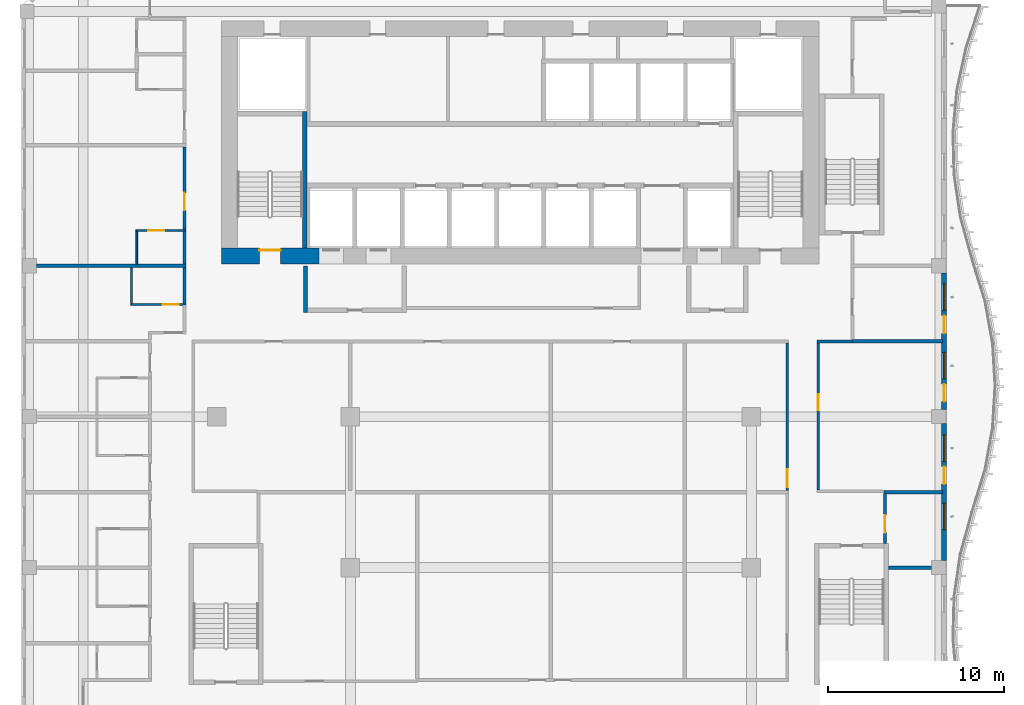
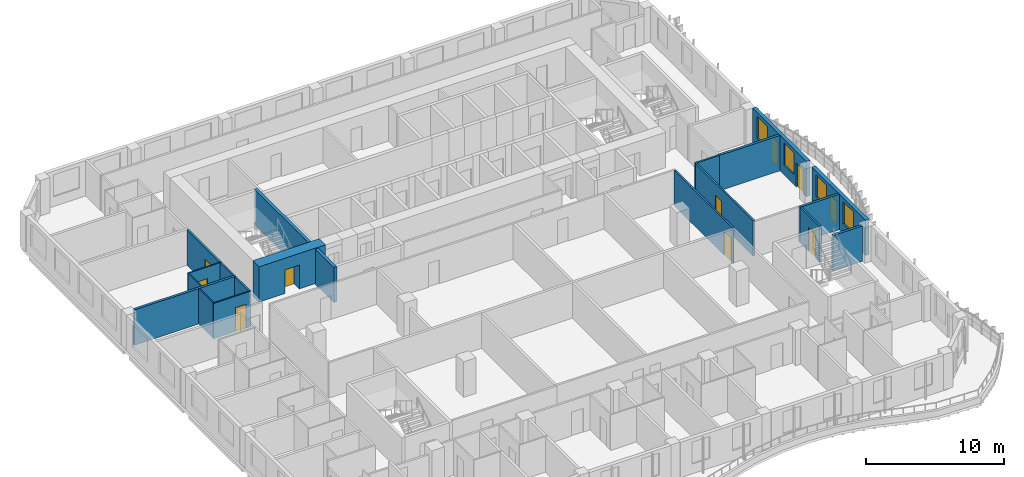
# One storey, part 6 of 23: 20 walls, 10 doors, 4 windows, 14 openings.
"""IFC4 building model written with IfcOpenShell, lengths in metres."""

import ifcopenshell
import ifcopenshell.guid

model = None  # the IFC model being written
_history = None  # IfcOwnerHistory: only IFC2X3 demands one
_inside = {}  # id of a spatial element -> (the spatial element, [elements in it])
_under = {}  # id of a project, library or spatial element -> (it, [spatial elements below it])
_declared = {}  # id of a project -> (the project, [libraries it declares])
_typed = {}  # id of a type object -> (the type object, [elements of that type])
_made_of = {}  # id of a material, layer set ... -> (it, [elements and type objects made of it])


def new_model(schema):
    """Start an empty IFC model of exactly this schema.

    Asked for "IFC4X3", IfcOpenShell would pick the latest addendum, in which some entities
    have other attributes; the version numbers below select the first issue.
    IFC2X3 requires an IfcOwnerHistory on every rooted entity: one is made here for all.
    """
    global model, _history
    if schema == "IFC4X3":
        model = ifcopenshell.file(schema_version=(4, 3, 0, 0))
    else:
        model = ifcopenshell.file(schema=schema)
    _inside.clear()
    _under.clear()
    _declared.clear()
    _typed.clear()
    _made_of.clear()
    _history = None
    if model.schema == "IFC2X3":
        org = make("IfcOrganization", Name="unknown")
        user = make(
            "IfcPersonAndOrganization",
            ThePerson=make("IfcPerson", FamilyName="unknown"),
            TheOrganization=org,
        )
        app = make(
            "IfcApplication",
            ApplicationDeveloper=org,
            Version="unknown",
            ApplicationFullName="unknown",
            ApplicationIdentifier="unknown",
        )
        _history = make(
            "IfcOwnerHistory",
            OwningUser=user,
            OwningApplication=app,
            ChangeAction="ADDED",
            CreationDate=0,
        )
    return model


def make(cls, **values):
    """One entity of the class cls with the attributes given. An attribute that is None is left unset."""
    return model.create_entity(
        cls, **{name: value for name, value in values.items() if value is not None}
    )


def rooted(cls, **values):
    """An entity with a GlobalId (a new one), such as an element, a storey or a relation."""
    return make(cls, GlobalId=ifcopenshell.guid.new(), OwnerHistory=_history, **values)


def si_unit(unit_type, name, prefix=None):
    """IfcSIUnit, for example si_unit("LENGTHUNIT", "METRE", prefix="MILLI")."""
    return make("IfcSIUnit", UnitType=unit_type, Prefix=prefix, Name=name)


def assignment(units):
    """IfcUnitAssignment: the units of a project."""
    return None if units is None else make("IfcUnitAssignment", Units=units)


def point(xyz):
    """IfcCartesianPoint."""
    return None if xyz is None else make("IfcCartesianPoint", Coordinates=xyz)


def direction(xyz):
    """IfcDirection."""
    return None if xyz is None else make("IfcDirection", DirectionRatios=xyz)


def frame(location, z_axis=None, x_axis=None):
    """IfcAxis2Placement3D, a coordinate frame: its origin and axes. An axis left out is left unset."""
    return make(
        "IfcAxis2Placement3D",
        Location=point(location),
        Axis=direction(z_axis),
        RefDirection=direction(x_axis),
    )


def frame_2d(location, x_axis=None):
    """IfcAxis2Placement2D, a coordinate frame in the plane: its origin and x axis."""
    return make(
        "IfcAxis2Placement2D", Location=point(location), RefDirection=direction(x_axis)
    )


def origin():
    """The frame at (0, 0, 0) with its axes left unset."""
    return frame((0.0, 0.0, 0.0))


def place(relative_to, where):
    """IfcLocalPlacement: puts the frame where relative to a parent placement (None: the world)."""
    return make(
        "IfcLocalPlacement", PlacementRelTo=relative_to, RelativePlacement=where
    )


def context(
    kind, dimensions, precision=None, world=None, true_north=None, identifier=None
):
    """IfcGeometricRepresentationContext, for example the 3D "Model" context."""
    return make(
        "IfcGeometricRepresentationContext",
        ContextIdentifier=identifier,
        ContextType=kind,
        CoordinateSpaceDimension=dimensions,
        Precision=precision,
        WorldCoordinateSystem=world,
        TrueNorth=true_north,
    )


def subcontext(parent, identifier, kind, view, scale=None):
    """IfcGeometricRepresentationSubContext, for example "Body" below "Model"."""
    return make(
        "IfcGeometricRepresentationSubContext",
        ContextIdentifier=identifier,
        ContextType=kind,
        ParentContext=parent,
        TargetScale=scale,
        TargetView=view,
    )


def project(units=None, contexts=None):
    """IfcProject with its units and contexts."""
    return rooted(
        "IfcProject",
        Name="project",
        RepresentationContexts=contexts,
        UnitsInContext=assignment(units),
    )


def spatial(cls, under=None, at=None, **own):
    """A site, building, storey or space (cls), placed at a placement, below another one or the project."""
    s = rooted(cls, ObjectPlacement=at, **own)
    if under is not None:
        _under.setdefault(under.id(), (under, []))[1].append(s)
    return s


def profile(cls, at=None, kind="AREA", **sizes):
    """A parametric profile (cls). Its sizes go by their IFC names, for example OverallWidth=200.0."""
    return make(cls, ProfileType=kind, Position=at, **sizes)


def rectangle(**sizes):
    """IfcRectangleProfileDef."""
    return profile("IfcRectangleProfileDef", **sizes)


def extrude(swept, where, along, depth):
    """IfcExtrudedAreaSolid: the profile swept, set in the frame where, extruded along a direction by depth."""
    return make(
        "IfcExtrudedAreaSolid",
        SweptArea=swept,
        Position=where,
        ExtrudedDirection=direction(along),
        Depth=depth,
    )


def shape(context_of_items, identifier, shape_type, items):
    """IfcShapeRepresentation: the items that make up one representation, for example the "Body"."""
    return make(
        "IfcShapeRepresentation",
        ContextOfItems=context_of_items,
        RepresentationIdentifier=identifier,
        RepresentationType=shape_type,
        Items=items,
    )


def source(mapping_origin, context_of_items, identifier, shape_type, items):
    """IfcRepresentationMap: a shape defined once, which mapped items show again and again."""
    return make(
        "IfcRepresentationMap",
        MappingOrigin=mapping_origin,
        MappedRepresentation=shape(context_of_items, identifier, shape_type, items),
    )


def transform(
    local_origin,
    x_axis=None,
    y_axis=None,
    z_axis=None,
    scale=None,
    scale2=None,
    scale3=None,
    uniform=True,
):
    """IfcCartesianTransformationOperator3D, or its non-uniform kind. x_axis, y_axis, z_axis: its Axis1, 2, 3."""
    if uniform:
        return make(
            "IfcCartesianTransformationOperator3D",
            Axis1=direction(x_axis),
            Axis2=direction(y_axis),
            LocalOrigin=point(local_origin),
            Scale=scale,
            Axis3=direction(z_axis),
        )
    return make(
        "IfcCartesianTransformationOperator3DnonUniform",
        Axis1=direction(x_axis),
        Axis2=direction(y_axis),
        LocalOrigin=point(local_origin),
        Scale=scale,
        Axis3=direction(z_axis),
        Scale2=scale2,
        Scale3=scale3,
    )


def mapped(mapping_source, mapping_target):
    """IfcMappedItem: shows the shape of a source again, moved by a transform."""
    return make(
        "IfcMappedItem", MappingSource=mapping_source, MappingTarget=mapping_target
    )


def material(Name=None, Category=None):
    """IfcMaterial."""
    return make("IfcMaterial", Name=Name, Category=Category)


def layer(
    of_material, thickness, ventilated=None, Name=None, Category=None, Priority=None
):
    """IfcMaterialLayer: one layer of a wall or slab, of a material (None: an air gap)."""
    return make(
        "IfcMaterialLayer",
        Material=of_material,
        LayerThickness=thickness,
        IsVentilated=ventilated,
        Name=Name,
        Category=Category,
        Priority=Priority,
    )


def layer_set(layers, Name=None):
    """IfcMaterialLayerSet."""
    return make("IfcMaterialLayerSet", MaterialLayers=layers, LayerSetName=Name)


def made_of(thing, what):
    """Note that an element or type object is made of a material, layer set ...; save() writes the relation."""
    if what is not None:
        _made_of.setdefault(what.id(), (what, []))[1].append(thing)
    return thing


def type_object(cls, material=None, **own):
    """A type object (cls), such as IfcWallType, which elements share."""
    return made_of(rooted(cls, **own), material)


def element(
    cls,
    number,
    at=None,
    inside=None,
    cuts=None,
    type_object=None,
    material=None,
    context=None,
    identifier="Body",
    shape_type=None,
    held_by="IfcProductDefinitionShape",
    body=None,
    shapes=None,
    **own,
):
    """One element of the class cls, such as IfcWall. Its Tag is "e" and its number.

    at: its placement. inside: the storey or other place that contains it. cuts: it is an
    opening in that element (IfcRelVoidsElement). A single representation is given by context,
    identifier, shape_type and body (its items); several are given by shapes. held_by: the class
    of the entity that holds the representations. save() writes the other relations.
    """
    e = rooted(cls, Tag="e%d" % number, ObjectPlacement=at, **own)
    if body is not None:
        shapes = [shape(context, identifier, shape_type, body)]
    if shapes is not None:
        e.Representation = make(held_by, Representations=shapes)
    if inside is not None:
        _inside.setdefault(inside.id(), (inside, []))[1].append(e)
    if cuts is not None:
        rooted(
            "IfcRelVoidsElement", RelatingBuildingElement=cuts, RelatedOpeningElement=e
        )
    if type_object is not None:
        _typed.setdefault(type_object.id(), (type_object, []))[1].append(e)
    return made_of(e, material)


def fill(opening, filler):
    """IfcRelFillsElement: the door or window that sits in an opening."""
    return rooted(
        "IfcRelFillsElement",
        RelatingOpeningElement=opening,
        RelatedBuildingElement=filler,
    )


def aggregate(whole, parts):
    """IfcRelAggregates: a whole, such as a stair, and the parts it consists of."""
    return rooted("IfcRelAggregates", RelatingObject=whole, RelatedObjects=parts)


def save(model, path):
    """Write the relations noted so far, then the file.

    IfcRelAggregates (storeys below a building ...), IfcRelContainedInSpatialStructure (elements
    in a storey), IfcRelDefinesByType, IfcRelAssociatesMaterial and IfcRelDeclares: one each for
    every whole, place, type object, material and project.
    """
    for whole, parts in _under.values():
        aggregate(whole, parts)
    for where, things in _inside.values():
        rooted(
            "IfcRelContainedInSpatialStructure",
            RelatedElements=things,
            RelatingStructure=where,
        )
    for kind, things in _typed.values():
        rooted("IfcRelDefinesByType", RelatedObjects=things, RelatingType=kind)
    for what, things in _made_of.values():
        rooted("IfcRelAssociatesMaterial", RelatedObjects=things, RelatingMaterial=what)
    for by, libraries in _declared.values():
        rooted("IfcRelDeclares", RelatingContext=by, RelatedDefinitions=libraries)
    model.write(path)


model = new_model("IFC4")

# Units and contexts
model_context = context("Model", 3, precision=1e-05, world=origin(), true_north=direction((0.0, 1.0)))
body_context = subcontext(model_context, "Body", "Model", "MODEL_VIEW")
ifc_project = project(units=[si_unit("LENGTHUNIT", "METRE"), si_unit("AREAUNIT", "SQUARE_METRE"), si_unit("VOLUMEUNIT", "CUBIC_METRE"), si_unit("PLANEANGLEUNIT", "RADIAN"), si_unit("MASSUNIT", "GRAM", prefix="KILO")], contexts=[model_context])

# Site, building, storey
site_placement = place(None, origin())
site = spatial("IfcSite", under=ifc_project, at=site_placement, CompositionType="ELEMENT")
building_placement = place(site_placement, origin())
building = spatial("IfcBuilding", under=site, at=building_placement, Name="Kilnfold Tower and Market Hall", CompositionType="ELEMENT")
storey_placement = place(building_placement, frame((0.0, 0.0, 178.699951171875)))
storey = spatial("IfcBuildingStorey", under=building, at=storey_placement, Name="L42", CompositionType="ELEMENT", Elevation=178.699951171875)

# Wall
ifc_material_1 = material(Name="Gypsum board on steel studs", Category="steel")
ifc_layer_1 = layer(ifc_material_1, 0.14990234375)
ifc_layer_set_1 = layer_set([ifc_layer_1], Name="Gypsum board on steel studs")
wall_type_1 = type_object("IfcWallType", Name="WALL CORRIDOR 150", PredefinedType="PARTITIONING", material=ifc_layer_set_1)
wall_1_placement = place(storey_placement, frame((-18.0, 5.840087890625, 0.0), z_axis=(0.0, 0.0, 1.0), x_axis=(0.0, 1.0, 0.0)))
element("IfcWall", 1, at=wall_1_placement, inside=storey, type_object=wall_type_1, Name="Partition LY27.21", PredefinedType="PARTITIONING", context=body_context, shape_type="SweptSolid", body=[
    extrude(rectangle(XDim=2.06982421875, YDim=0.14990234375, at=frame_2d((1.034912109375, 0.0))), origin(), (0.0, 0.0, 1.0), 3.1201171875),
])

# Wall, opening, door
wall_2_placement = place(storey_placement, frame((-18.0, 10.0400390625, 0.0), z_axis=(0.0, 0.0, 1.0), x_axis=(0.0, 1.0, 0.0)))
wall_2 = element("IfcWall", 2, at=wall_2_placement, inside=storey, type_object=wall_type_1, Name="Partition LY27.22", PredefinedType="PARTITIONING", context=body_context, shape_type="SweptSolid", body=[
    extrude(rectangle(XDim=4.70703125, YDim=0.14990234375, at=frame_2d((2.353515625, 0.0))), origin(), (0.0, 0.0, 1.0), 3.1201171875),
])
opening_1_placement = place(wall_2_placement, frame((1.10205078125, 0.0, 0.0)))
opening_1 = element("IfcOpeningElement", 3, at=opening_1_placement, cuts=wall_2, Name="Opening D1", PredefinedType="OPENING", context=body_context, shape_type="SweptSolid", body=[
    extrude(rectangle(XDim=1.0, YDim=2.10009765625, at=frame_2d((0.5, 1.050048828125))), frame((0.0, 0.0849609375, 0.0), z_axis=(0.0, -1.0, 0.0), x_axis=(1.0, 0.0, 0.0)), (0.0, 0.0, 1.0), 0.169921875),
])
ifc_material_2 = material(Name="Timber veneer door leaf in steel frame", Category="steel")
door_type_1 = type_object("IfcDoorType", Name="DOOR ENTRY 1000 X2100", OperationType="NOTDEFINED", PredefinedType="DOOR", material=ifc_material_2)
door_1_placement = place(opening_1_placement, origin())
door_1 = element("IfcDoor", 4, at=door_1_placement, inside=storey, type_object=door_type_1, Name="Door D1", OperationType="SINGLE_SWING_LEFT", OverallHeight=2.10009765625, OverallWidth=1.0, PredefinedType="DOOR", context=body_context, shape_type="SweptSolid", body=[
    extrude(rectangle(XDim=1.0, YDim=2.10009765625, at=frame_2d((0.5, 1.050048828125))), frame((0.0, 0.02490234375, 0.0), z_axis=(0.0, -1.0, 0.0), x_axis=(1.0, 0.0, 0.0)), (0.0, 0.0, 1.0), 0.050048828125),
])
fill(opening_1, door_1)

# Walls
wall_3_placement = place(storey_placement, frame((-18.0, 8.090087890625, 0.0), z_axis=(0.0, 0.0, 1.0), x_axis=(0.0, 1.0, 0.0)))
element("IfcWall", 5, at=wall_3_placement, inside=storey, type_object=wall_type_1, Name="Partition LY27.23", PredefinedType="PARTITIONING", context=body_context, shape_type="SweptSolid", body=[
    extrude(rectangle(XDim=1.869873046875, YDim=0.14990234375, at=frame_2d((0.93505859375, 0.0))), origin(), (0.0, 0.0, 1.0), 3.1201171875),
])
wall_4_placement = place(storey_placement, frame((17.884033203125, 3.699951171875, 0.0), z_axis=(0.0, 0.0, 1.0), x_axis=(1.0, 0.0, 0.0)))
element("IfcWall", 6, at=wall_4_placement, inside=storey, type_object=wall_type_1, Name="Partition LY27.34", PredefinedType="PARTITIONING", context=body_context, shape_type="SweptSolid", body=[
    extrude(rectangle(XDim=2.015869140625, YDim=0.14990234375, at=frame_2d((1.0078125, 0.0))), origin(), (0.0, 0.0, 1.0), 3.1201171875),
])

# Wall, opening, door
wall_5_placement = place(storey_placement, frame((17.958984375, -4.72509765625, 0.0), z_axis=(0.0, 0.0, 1.0), x_axis=(0.0, 1.0, 0.0)))
wall_5 = element("IfcWall", 7, at=wall_5_placement, inside=storey, type_object=wall_type_1, Name="Partition LY27.35", PredefinedType="PARTITIONING", context=body_context, shape_type="SweptSolid", body=[
    extrude(rectangle(XDim=8.35009765625, YDim=0.14990234375, at=frame_2d((4.175048828125, 0.0))), origin(), (0.0, 0.0, 1.0), 3.1201171875),
])
opening_2_placement = place(wall_5_placement, frame((4.531005859375, 0.0, 0.0)))
opening_2 = element("IfcOpeningElement", 8, at=opening_2_placement, cuts=wall_5, Name="Opening D2", PredefinedType="OPENING", context=body_context, shape_type="SweptSolid", body=[
    extrude(rectangle(XDim=0.89990234375, YDim=2.10009765625, at=frame_2d((0.449951171875, 1.050048828125))), frame((0.0, 0.0849609375, 0.0), z_axis=(0.0, -1.0, 0.0), x_axis=(1.0, 0.0, 0.0)), (0.0, 0.0, 1.0), 0.169921875),
])
ifc_material_3 = material(Name="Timber veneer door leaf in steel frame", Category="steel")
door_type_2 = type_object("IfcDoorType", Name="DOOR ROOM 900 X2100", OperationType="NOTDEFINED", PredefinedType="DOOR", material=ifc_material_3)
door_2_placement = place(opening_2_placement, origin())
door_2 = element("IfcDoor", 9, at=door_2_placement, inside=storey, type_object=door_type_2, Name="Door D2", OperationType="SINGLE_SWING_RIGHT", OverallHeight=2.10009765625, OverallWidth=0.89990234375, PredefinedType="DOOR", context=body_context, shape_type="SweptSolid", body=[
    extrude(rectangle(XDim=0.89990234375, YDim=2.10009765625, at=frame_2d((0.449951171875, 1.050048828125))), frame((0.0, 0.02490234375, 0.0), z_axis=(0.0, -1.0, 0.0), x_axis=(1.0, 0.0, 0.0)), (0.0, 0.0, 1.0), 0.050048828125),
])
fill(opening_2, door_2)

wall_6_placement = place(storey_placement, frame((21.75, -7.75, 0.0), z_axis=(0.0, 0.0, 1.0), x_axis=(0.0, 1.0, 0.0)))
wall_6 = element("IfcWall", 10, at=wall_6_placement, inside=storey, type_object=wall_type_1, Name="Partition LY27.37", PredefinedType="PARTITIONING", context=body_context, shape_type="SweptSolid", body=[
    extrude(rectangle(XDim=2.81689453125, YDim=0.14990234375, at=frame_2d((1.408447265625, 0.0))), origin(), (0.0, 0.0, 1.0), 3.1201171875),
])
opening_3_placement = place(wall_6_placement, frame((0.60498046875, 0.0, 0.0)))
opening_3 = element("IfcOpeningElement", 11, at=opening_3_placement, cuts=wall_6, Name="Opening D4", PredefinedType="OPENING", context=body_context, shape_type="SweptSolid", body=[
    extrude(rectangle(XDim=1.0, YDim=2.10009765625, at=frame_2d((0.5, 1.050048828125))), frame((0.0, 0.0849609375, 0.0), z_axis=(0.0, -1.0, 0.0), x_axis=(1.0, 0.0, 0.0)), (0.0, 0.0, 1.0), 0.169921875),
])
ifc_material_4 = material(Name="Timber veneer door leaf in steel frame", Category="steel")
door_type_3 = type_object("IfcDoorType", Name="DOOR SERVICE 1000 X2100", OperationType="NOTDEFINED", PredefinedType="DOOR", material=ifc_material_4)
door_3_placement = place(opening_3_placement, origin())
door_3 = element("IfcDoor", 12, at=door_3_placement, inside=storey, type_object=door_type_3, Name="Door D4", OperationType="SINGLE_SWING_LEFT", OverallHeight=2.10009765625, OverallWidth=1.0, PredefinedType="DOOR", context=body_context, shape_type="SweptSolid", body=[
    extrude(rectangle(XDim=1.0, YDim=2.10009765625, at=frame_2d((0.5, 1.050048828125))), frame((0.0, 0.02490234375, 0.0), z_axis=(0.0, -1.0, 0.0), x_axis=(1.0, 0.0, 0.0)), (0.0, 0.0, 1.0), 0.050048828125),
])
fill(opening_3, door_3)

wall_7_placement = place(storey_placement, frame((16.199951171875, -4.7529296875, 0.0), z_axis=(0.0, 0.0, 1.0), x_axis=(0.0, 1.0, 0.0)))
wall_7 = element("IfcWall", 13, at=wall_7_placement, inside=storey, type_object=wall_type_1, Name="Partition LY27.45", PredefinedType="PARTITIONING", context=body_context, shape_type="SweptSolid", body=[
    extrude(rectangle(XDim=8.3779296875, YDim=0.14990234375, at=frame_2d((4.18896484375, 0.0))), origin(), (0.0, 0.0, 1.0), 3.1201171875),
])
opening_4_placement = place(wall_7_placement, frame((0.199951171875, 0.0, 0.0)))
opening_4 = element("IfcOpeningElement", 14, at=opening_4_placement, cuts=wall_7, Name="Opening D4", PredefinedType="OPENING", context=body_context, shape_type="SweptSolid", body=[
    extrude(rectangle(XDim=1.0, YDim=2.10009765625, at=frame_2d((0.5, 1.050048828125))), frame((0.0, 0.0849609375, 0.0), z_axis=(0.0, -1.0, 0.0), x_axis=(1.0, 0.0, 0.0)), (0.0, 0.0, 1.0), 0.169921875),
])
door_4_placement = place(opening_4_placement, origin())
door_4 = element("IfcDoor", 15, at=door_4_placement, inside=storey, type_object=door_type_3, Name="Door D4", OperationType="SINGLE_SWING_RIGHT", OverallHeight=2.10009765625, OverallWidth=1.0, PredefinedType="DOOR", context=body_context, shape_type="SweptSolid", body=[
    extrude(rectangle(XDim=1.0, YDim=2.10009765625, at=frame_2d((0.5, 1.050048828125))), frame((0.0, 0.02490234375, 0.0), z_axis=(0.0, -1.0, 0.0), x_axis=(1.0, 0.0, 0.0)), (0.0, 0.0, 1.0), 0.050048828125),
])
fill(opening_4, door_4)

ifc_material_5 = material(Name="Gypsum board on steel studs", Category="steel")
ifc_layer_2 = layer(ifc_material_5, 0.10009765625)
ifc_layer_set_2 = layer_set([ifc_layer_2], Name="Gypsum board on steel studs")
wall_type_2 = type_object("IfcWallType", Name="WALL PARTITION 100", PredefinedType="PARTITIONING", material=ifc_layer_set_2)
wall_8_placement = place(storey_placement, frame((-17.927001953125, 5.800048828125, 0.0), z_axis=(0.0, 0.0, 1.0), x_axis=(-1.0, 0.0, 0.0)))
wall_8 = element("IfcWall", 16, at=wall_8_placement, inside=storey, type_object=wall_type_2, Name="Partition LY27.97", PredefinedType="PARTITIONING", context=body_context, shape_type="SweptSolid", body=[
    extrude(rectangle(XDim=3.125, YDim=0.10009765625, at=frame_2d((1.5625, 0.0))), origin(), (0.0, 0.0, 1.0), 3.1201171875),
])
opening_5_placement = place(wall_8_placement, frame((0.403076171875, 0.0, 0.0)))
opening_5 = element("IfcOpeningElement", 17, at=opening_5_placement, cuts=wall_8, Name="Opening D3", PredefinedType="OPENING", context=body_context, shape_type="SweptSolid", body=[
    extrude(rectangle(XDim=0.89990234375, YDim=2.10009765625, at=frame_2d((0.449951171875, 1.050048828125))), frame((0.0, 0.06005859375, 0.0), z_axis=(0.0, -1.0, 0.0), x_axis=(1.0, 0.0, 0.0)), (0.0, 0.0, 1.0), 0.1201171875),
])
ifc_material_6 = material(Name="Timber veneer door leaf in steel frame", Category="steel")
door_type_4 = type_object("IfcDoorType", Name="DOOR WC 900 X2100", OperationType="NOTDEFINED", PredefinedType="DOOR", material=ifc_material_6)
door_5_placement = place(opening_5_placement, origin())
door_5 = element("IfcDoor", 18, at=door_5_placement, inside=storey, type_object=door_type_4, Name="Door D3", OperationType="SINGLE_SWING_LEFT", OverallHeight=2.10009765625, OverallWidth=0.89990234375, PredefinedType="DOOR", context=body_context, shape_type="SweptSolid", body=[
    extrude(rectangle(XDim=0.89990234375, YDim=2.10009765625, at=frame_2d((0.449951171875, 1.050048828125))), frame((0.0, 0.02490234375, 0.0), z_axis=(0.0, -1.0, 0.0), x_axis=(1.0, 0.0, 0.0)), (0.0, 0.0, 1.0), 0.050048828125),
])
fill(opening_5, door_5)

# Wall
wall_9_placement = place(storey_placement, frame((-21.001953125, 5.85009765625, 0.0), z_axis=(0.0, 0.0, 1.0), x_axis=(0.0, 1.0, 0.0)))
element("IfcWall", 19, at=wall_9_placement, inside=storey, type_object=wall_type_2, Name="Partition LY27.98", PredefinedType="PARTITIONING", context=body_context, shape_type="SweptSolid", body=[
    extrude(rectangle(XDim=2.0498046875, YDim=0.10009765625, at=frame_2d((1.02490234375, 0.0))), origin(), (0.0, 0.0, 1.0), 3.1201171875),
])

# Wall, opening, door
wall_10_placement = place(storey_placement, frame((-20.751953125, 10.0, 0.0), z_axis=(0.0, 0.0, 1.0), x_axis=(1.0, 0.0, 0.0)))
wall_10 = element("IfcWall", 20, at=wall_10_placement, inside=storey, type_object=wall_type_2, Name="Partition LY27.100", PredefinedType="PARTITIONING", context=body_context, shape_type="SweptSolid", body=[
    extrude(rectangle(XDim=2.824951171875, YDim=0.10009765625, at=frame_2d((1.41259765625, 0.0))), origin(), (0.0, 0.0, 1.0), 3.1201171875),
])
opening_6_placement = place(wall_10_placement, frame((0.7080078125, 0.0, 0.0)))
opening_6 = element("IfcOpeningElement", 21, at=opening_6_placement, cuts=wall_10, Name="Opening D3", PredefinedType="OPENING", context=body_context, shape_type="SweptSolid", body=[
    extrude(rectangle(XDim=0.89990234375, YDim=2.10009765625, at=frame_2d((0.449951171875, 1.050048828125))), frame((0.0, 0.06005859375, 0.0), z_axis=(0.0, -1.0, 0.0), x_axis=(1.0, 0.0, 0.0)), (0.0, 0.0, 1.0), 0.1201171875),
])
door_6_placement = place(opening_6_placement, origin())
door_6 = element("IfcDoor", 22, at=door_6_placement, inside=storey, type_object=door_type_4, Name="Door D3", OperationType="SINGLE_SWING_RIGHT", OverallHeight=2.10009765625, OverallWidth=0.89990234375, PredefinedType="DOOR", context=body_context, shape_type="SweptSolid", body=[
    extrude(rectangle(XDim=0.89990234375, YDim=2.10009765625, at=frame_2d((0.449951171875, 1.050048828125))), frame((0.0, 0.02490234375, 0.0), z_axis=(0.0, -1.0, 0.0), x_axis=(1.0, 0.0, 0.0)), (0.0, 0.0, 1.0), 0.050048828125),
])
fill(opening_6, door_6)

# Walls
wall_11_placement = place(storey_placement, frame((-20.701904296875, 8.10009765625, 0.0), z_axis=(0.0, 0.0, 1.0), x_axis=(0.0, 1.0, 0.0)))
element("IfcWall", 23, at=wall_11_placement, inside=storey, type_object=wall_type_2, Name="Partition LY27.101", PredefinedType="PARTITIONING", context=body_context, shape_type="SweptSolid", body=[
    extrude(rectangle(XDim=1.849853515625, YDim=0.10009765625, at=frame_2d((0.9248046875, 0.0))), origin(), (0.0, 0.0, 1.0), 3.1201171875),
])
ifc_material_7 = material(Name="Gypsum board on steel studs", Category="steel")
ifc_layer_3 = layer(ifc_material_7, 0.199951171875)
ifc_layer_set_3 = layer_set([ifc_layer_3], Name="Gypsum board on steel studs")
wall_type_3 = type_object("IfcWallType", Name="WALL PARTY 200", PredefinedType="PARTITIONING", material=ifc_layer_set_3)
wall_12_placement = place(storey_placement, frame((-26.39990234375, 8.0, 0.0), z_axis=(0.0, 0.0, 1.0), x_axis=(1.0, 0.0, 0.0)))
element("IfcWall", 24, at=wall_12_placement, inside=storey, type_object=wall_type_3, Name="Partition LY27.99", PredefinedType="PARTITIONING", context=body_context, shape_type="SweptSolid", body=[
    extrude(rectangle(XDim=8.472900390625, YDim=0.199951171875, at=frame_2d((4.236328125, 0.0))), origin(), (0.0, 0.0, 1.0), 3.1201171875),
])
wall_13_placement = place(storey_placement, frame((19.902099609375, 3.718994140625, 0.0), z_axis=(0.0, 0.0, 1.0), x_axis=(1.0, 0.0, 0.0)))
element("IfcWall", 25, at=wall_13_placement, inside=storey, type_object=wall_type_3, Name="Partition LY27.112", PredefinedType="PARTITIONING", context=body_context, shape_type="SweptSolid", body=[
    extrude(rectangle(XDim=5.097900390625, YDim=0.199951171875, at=frame_2d((2.548828125, 0.0))), origin(), (0.0, 0.0, 1.0), 3.1201171875),
])
wall_14_placement = place(storey_placement, frame((21.677001953125, -4.843017578125, 0.0), z_axis=(0.0, 0.0, 1.0), x_axis=(1.0, 0.0, 0.0)))
element("IfcWall", 26, at=wall_14_placement, inside=storey, type_object=wall_type_3, Name="Partition LY27.115", PredefinedType="PARTITIONING", context=body_context, shape_type="SweptSolid", body=[
    extrude(rectangle(XDim=3.322998046875, YDim=0.199951171875, at=frame_2d((1.66162109375, 0.0))), origin(), (0.0, 0.0, 1.0), 3.1201171875),
])
wall_15_placement = place(storey_placement, frame((21.949951171875, -9.125, 0.0), z_axis=(0.0, 0.0, 1.0), x_axis=(1.0, 0.0, 0.0)))
element("IfcWall", 27, at=wall_15_placement, inside=storey, type_object=wall_type_3, Name="Partition LY27.116", PredefinedType="PARTITIONING", context=body_context, shape_type="SweptSolid", body=[
    extrude(rectangle(XDim=2.449951171875, YDim=0.199951171875, at=frame_2d((1.22509765625, 0.0))), origin(), (0.0, 0.0, 1.0), 3.1201171875),
])

# Wall, opening, door
ifc_material_8 = material(Name="Concrete C70", Category="concrete")
ifc_layer_4 = layer(ifc_material_8, 0.89990234375)
ifc_layer_set_4 = layer_set([ifc_layer_4], Name="Concrete C70")
wall_type_4 = type_object("IfcWallType", Name="CORE WALL 900 C70", PredefinedType="SHEAR", material=ifc_layer_set_4)
shared_shape_1 = source(origin(), body_context, "Body", "SweptSolid", [
    extrude(rectangle(XDim=5.52978515625, YDim=0.89990234375, at=frame_2d((2.764892578125, 0.0))), origin(), (0.0, 0.0, 1.0), 3.1201171875),
])
wall_16_placement = place(storey_placement, frame((-15.89990234375, 8.550048828125, 0.0), z_axis=(0.0, 0.0, 1.0), x_axis=(1.0, 0.0, 0.0)))
wall_16 = element("IfcWall", 28, at=wall_16_placement, inside=storey, type_object=wall_type_4, Name="Core outer wall south", PredefinedType="SHEAR", context=body_context, shape_type="MappedRepresentation", body=[
    mapped(shared_shape_1, transform((0.0, 0.0, 0.0))),
])
opening_7_placement = place(wall_16_placement, frame((2.14990234375, 0.0, 0.0)))
opening_7 = element("IfcOpeningElement", 29, at=opening_7_placement, cuts=wall_16, Name="Opening SD1", PredefinedType="OPENING", context=body_context, shape_type="SweptSolid", body=[
    extrude(rectangle(XDim=1.199951171875, YDim=2.10009765625, at=frame_2d((0.60009765625, 1.050048828125))), frame((0.0, 0.4599609375, 0.0), z_axis=(0.0, -1.0, 0.0), x_axis=(1.0, 0.0, 0.0)), (0.0, 0.0, 1.0), 0.919921875),
])
ifc_material_9 = material(Name="Steel door set with fire-resisting leaf", Category="steel")
door_type_5 = type_object("IfcDoorType", Name="STAIR FLOOR DOOR 1200X2100", OperationType="NOTDEFINED", PredefinedType="DOOR", material=ifc_material_9)
door_7_placement = place(opening_7_placement, origin())
door_7 = element("IfcDoor", 30, at=door_7_placement, inside=storey, type_object=door_type_5, Name="Exit stair ST1 door", OperationType="DOUBLE_DOOR_SINGLE_SWING", OverallHeight=2.10009765625, OverallWidth=1.199951171875, PredefinedType="DOOR", context=body_context, shape_type="SweptSolid", body=[
    extrude(rectangle(XDim=1.199951171875, YDim=2.10009765625, at=frame_2d((0.60009765625, 1.050048828125))), frame((0.0, 0.35498046875, 0.0), z_axis=(0.0, -1.0, 0.0), x_axis=(1.0, 0.0, 0.0)), (0.0, 0.0, 1.0), 0.050048828125),
])
fill(opening_7, door_7)

# Wall
ifc_material_10 = material(Name="Concrete C70", Category="concrete")
ifc_layer_5 = layer(ifc_material_10, 0.25)
ifc_layer_set_5 = layer_set([ifc_layer_5], Name="Concrete C70")
wall_type_5 = type_object("IfcWallType", Name="CORE WALL 250 C70", PredefinedType="SHEAR", material=ifc_layer_set_5)
shared_shape_2 = source(origin(), body_context, "Body", "SweptSolid", [
    extrude(rectangle(XDim=7.75, YDim=0.25, at=frame_2d((3.875, 0.0))), origin(), (0.0, 0.0, 1.0), 3.1201171875),
])
wall_17_placement = place(storey_placement, frame((-11.175048828125, 9.0, 0.0), z_axis=(0.0, 0.0, 1.0), x_axis=(0.0, 1.0, 0.0)))
element("IfcWall", 31, at=wall_17_placement, inside=storey, type_object=wall_type_5, Name="Stair enclosure ST1", PredefinedType="SHEAR", context=body_context, shape_type="MappedRepresentation", body=[
    mapped(shared_shape_2, transform((0.0, 0.0, 0.0))),
])

# Wall, openings, door, windows
ifc_material_11 = material(Name="Precast concrete C50/60", Category="concrete")
ifc_layer_6 = layer(ifc_material_11, 0.300048828125)
ifc_layer_set_6 = layer_set([ifc_layer_6], Name="Precast concrete C50/60")
wall_type_6 = type_object("IfcWallType", Name="PRECAST WALL 300", PredefinedType="SOLIDWALL", material=ifc_layer_set_6)
shared_shape_3 = source(origin(), body_context, "Body", "SweptSolid", [
    extrude(rectangle(XDim=7.7626953125, YDim=0.300048828125, at=frame_2d((3.88134765625, 0.0))), origin(), (0.0, 0.0, 1.0), 3.1201171875),
])
wall_18_placement = place(storey_placement, frame((25.10009765625, -8.72509765625, 0.0), z_axis=(0.0, 0.0, 1.0), x_axis=(0.0, 1.0, 0.0)))
wall_18 = element("IfcWall", 32, at=wall_18_placement, inside=storey, type_object=wall_type_6, Name="External wall L42 E", PredefinedType="SOLIDWALL", context=body_context, shape_type="MappedRepresentation", body=[
    mapped(shared_shape_3, transform((0.0, 0.0, 0.0))),
])
opening_8_placement = place(wall_18_placement, frame((1.75, 0.0, 0.85009765625)))
opening_8 = element("IfcOpeningElement", 33, at=opening_8_placement, cuts=wall_18, Name="Opening W4", PredefinedType="OPENING", context=body_context, shape_type="SweptSolid", body=[
    extrude(rectangle(XDim=1.5, YDim=1.949951171875, at=frame_2d((0.75, 0.97509765625))), frame((0.0, 0.16015625, 0.0), z_axis=(0.0, -1.0, 0.0), x_axis=(1.0, 0.0, 0.0)), (0.0, 0.0, 1.0), 0.320068359375),
])
opening_9_placement = place(wall_18_placement, frame((5.631103515625, 0.0, 0.85009765625)))
opening_9 = element("IfcOpeningElement", 34, at=opening_9_placement, cuts=wall_18, Name="Opening W4", PredefinedType="OPENING", context=body_context, shape_type="SweptSolid", body=[
    extrude(rectangle(XDim=1.5, YDim=1.949951171875, at=frame_2d((0.75, 0.97509765625))), frame((0.0, 0.16015625, 0.0), z_axis=(0.0, -1.0, 0.0), x_axis=(1.0, 0.0, 0.0)), (0.0, 0.0, 1.0), 0.320068359375),
])
opening_10_placement = place(wall_18_placement, frame((4.331298828125, 0.0, 0.0)))
opening_10 = element("IfcOpeningElement", 35, at=opening_10_placement, cuts=wall_18, Name="Opening BD1", PredefinedType="OPENING", context=body_context, shape_type="SweptSolid", body=[
    extrude(rectangle(XDim=1.0, YDim=2.10009765625, at=frame_2d((0.5, 1.050048828125))), frame((0.0, 0.16015625, 0.0), z_axis=(0.0, -1.0, 0.0), x_axis=(1.0, 0.0, 0.0)), (0.0, 0.0, 1.0), 0.320068359375),
])
ifc_material_12 = material(Name="Aluminium frame and double glazing", Category="aluminium")
door_type_6 = type_object("IfcDoorType", Name="BALCONY DOOR 1000X2100", OperationType="NOTDEFINED", PredefinedType="DOOR", material=ifc_material_12)
door_8_placement = place(opening_10_placement, origin())
door_8 = element("IfcDoor", 36, at=door_8_placement, inside=storey, type_object=door_type_6, Name="Balcony door BD1 L42 E-2", OperationType="SINGLE_SWING_RIGHT", OverallHeight=2.10009765625, OverallWidth=1.0, PredefinedType="DOOR", context=body_context, shape_type="SweptSolid", body=[
    extrude(rectangle(XDim=1.0, YDim=2.10009765625, at=frame_2d((0.5, 1.050048828125))), frame((0.0, 0.02490234375, 0.0), z_axis=(0.0, -1.0, 0.0), x_axis=(1.0, 0.0, 0.0)), (0.0, 0.0, 1.0), 0.050048828125),
])
fill(opening_10, door_8)
ifc_material_13 = material(Name="Aluminium frame and double glazing", Category="aluminium")
window_type = type_object("IfcWindowType", Name="WINDOW W4 1500X1950", PartitioningType="SINGLE_PANEL", PredefinedType="WINDOW", material=ifc_material_13)
window_1_placement = place(opening_8_placement, origin())
window_1 = element("IfcWindow", 37, at=window_1_placement, inside=storey, type_object=window_type, Name="Window W4 L42 E-1", OverallHeight=1.949951171875, OverallWidth=1.5, PartitioningType="SINGLE_PANEL", PredefinedType="WINDOW", context=body_context, shape_type="SweptSolid", body=[
    extrude(rectangle(XDim=1.5, YDim=1.949951171875, at=frame_2d((0.75, 0.97509765625))), frame((0.0, 0.030029296875, 0.0), z_axis=(0.0, -1.0, 0.0), x_axis=(1.0, 0.0, 0.0)), (0.0, 0.0, 1.0), 0.06005859375),
])
fill(opening_8, window_1)
window_2_placement = place(opening_9_placement, origin())
window_2 = element("IfcWindow", 38, at=window_2_placement, inside=storey, type_object=window_type, Name="Window W4 L42 E-2", OverallHeight=1.949951171875, OverallWidth=1.5, PartitioningType="SINGLE_PANEL", PredefinedType="WINDOW", context=body_context, shape_type="SweptSolid", body=[
    extrude(rectangle(XDim=1.5, YDim=1.949951171875, at=frame_2d((0.75, 0.97509765625))), frame((0.0, 0.030029296875, 0.0), z_axis=(0.0, -1.0, 0.0), x_axis=(1.0, 0.0, 0.0)), (0.0, 0.0, 1.0), 0.06005859375),
])
fill(opening_9, window_2)

# Wall, openings, doors, windows
wall_19_placement = place(storey_placement, frame((25.10009765625, -0.16259765625, 0.0), z_axis=(0.0, 0.0, 1.0), x_axis=(0.0, 1.0, 0.0)))
wall_19 = element("IfcWall", 39, at=wall_19_placement, inside=storey, type_object=wall_type_6, Name="External wall L42 E", PredefinedType="SOLIDWALL", context=body_context, shape_type="MappedRepresentation", body=[
    mapped(shared_shape_3, transform((0.0, 0.0, 0.0))),
])
opening_11_placement = place(wall_19_placement, frame((1.75, 0.0, 0.85009765625)))
opening_11 = element("IfcOpeningElement", 40, at=opening_11_placement, cuts=wall_19, Name="Opening W4", PredefinedType="OPENING", context=body_context, shape_type="SweptSolid", body=[
    extrude(rectangle(XDim=1.5, YDim=1.949951171875, at=frame_2d((0.75, 0.97509765625))), frame((0.0, 0.16015625, 0.0), z_axis=(0.0, -1.0, 0.0), x_axis=(1.0, 0.0, 0.0)), (0.0, 0.0, 1.0), 0.320068359375),
])
opening_12_placement = place(wall_19_placement, frame((0.449951171875, 0.0, 0.0)))
opening_12 = element("IfcOpeningElement", 41, at=opening_12_placement, cuts=wall_19, Name="Opening BD1", PredefinedType="OPENING", context=body_context, shape_type="SweptSolid", body=[
    extrude(rectangle(XDim=1.0, YDim=2.10009765625, at=frame_2d((0.5, 1.050048828125))), frame((0.0, 0.16015625, 0.0), z_axis=(0.0, -1.0, 0.0), x_axis=(1.0, 0.0, 0.0)), (0.0, 0.0, 1.0), 0.320068359375),
])
opening_13_placement = place(wall_19_placement, frame((5.63134765625, 0.0, 0.85009765625)))
opening_13 = element("IfcOpeningElement", 42, at=opening_13_placement, cuts=wall_19, Name="Opening W4", PredefinedType="OPENING", context=body_context, shape_type="SweptSolid", body=[
    extrude(rectangle(XDim=1.5, YDim=1.949951171875, at=frame_2d((0.75, 0.97509765625))), frame((0.0, 0.16015625, 0.0), z_axis=(0.0, -1.0, 0.0), x_axis=(1.0, 0.0, 0.0)), (0.0, 0.0, 1.0), 0.320068359375),
])
opening_14_placement = place(wall_19_placement, frame((4.331298828125, 0.0, 0.0)))
opening_14 = element("IfcOpeningElement", 43, at=opening_14_placement, cuts=wall_19, Name="Opening BD1", PredefinedType="OPENING", context=body_context, shape_type="SweptSolid", body=[
    extrude(rectangle(XDim=1.0, YDim=2.10009765625, at=frame_2d((0.5, 1.050048828125))), frame((0.0, 0.16015625, 0.0), z_axis=(0.0, -1.0, 0.0), x_axis=(1.0, 0.0, 0.0)), (0.0, 0.0, 1.0), 0.320068359375),
])
door_9_placement = place(opening_12_placement, origin())
door_9 = element("IfcDoor", 44, at=door_9_placement, inside=storey, type_object=door_type_6, Name="Balcony door BD1 L42 E-1", OperationType="SINGLE_SWING_LEFT", OverallHeight=2.10009765625, OverallWidth=1.0, PredefinedType="DOOR", context=body_context, shape_type="SweptSolid", body=[
    extrude(rectangle(XDim=1.0, YDim=2.10009765625, at=frame_2d((0.5, 1.050048828125))), frame((0.0, 0.02490234375, 0.0), z_axis=(0.0, -1.0, 0.0), x_axis=(1.0, 0.0, 0.0)), (0.0, 0.0, 1.0), 0.050048828125),
])
fill(opening_12, door_9)
door_10_placement = place(opening_14_placement, origin())
door_10 = element("IfcDoor", 45, at=door_10_placement, inside=storey, type_object=door_type_6, Name="Balcony door BD1 L42 E-2", OperationType="SINGLE_SWING_RIGHT", OverallHeight=2.10009765625, OverallWidth=1.0, PredefinedType="DOOR", context=body_context, shape_type="SweptSolid", body=[
    extrude(rectangle(XDim=1.0, YDim=2.10009765625, at=frame_2d((0.5, 1.050048828125))), frame((0.0, 0.02490234375, 0.0), z_axis=(0.0, -1.0, 0.0), x_axis=(1.0, 0.0, 0.0)), (0.0, 0.0, 1.0), 0.050048828125),
])
fill(opening_14, door_10)
window_3_placement = place(opening_11_placement, origin())
window_3 = element("IfcWindow", 46, at=window_3_placement, inside=storey, type_object=window_type, Name="Window W4 L42 E-1", OverallHeight=1.949951171875, OverallWidth=1.5, PartitioningType="SINGLE_PANEL", PredefinedType="WINDOW", context=body_context, shape_type="SweptSolid", body=[
    extrude(rectangle(XDim=1.5, YDim=1.949951171875, at=frame_2d((0.75, 0.97509765625))), frame((0.0, 0.030029296875, 0.0), z_axis=(0.0, -1.0, 0.0), x_axis=(1.0, 0.0, 0.0)), (0.0, 0.0, 1.0), 0.06005859375),
])
fill(opening_11, window_3)
window_4_placement = place(opening_13_placement, origin())
window_4 = element("IfcWindow", 47, at=window_4_placement, inside=storey, type_object=window_type, Name="Window W4 L42 E-2", OverallHeight=1.949951171875, OverallWidth=1.5, PartitioningType="SINGLE_PANEL", PredefinedType="WINDOW", context=body_context, shape_type="SweptSolid", body=[
    extrude(rectangle(XDim=1.5, YDim=1.949951171875, at=frame_2d((0.75, 0.97509765625))), frame((0.0, 0.030029296875, 0.0), z_axis=(0.0, -1.0, 0.0), x_axis=(1.0, 0.0, 0.0)), (0.0, 0.0, 1.0), 0.06005859375),
])
fill(opening_13, window_4)

# Wall
ifc_material_14 = material(Name="Gypsum shaft wall system")
ifc_layer_7 = layer(ifc_material_14, 0.25)
ifc_layer_set_7 = layer_set([ifc_layer_7], Name="Gypsum shaft wall system")
wall_type_7 = type_object("IfcWallType", Name="LOBBY WALL 250", PredefinedType="PARTITIONING", material=ifc_layer_set_7)
shared_shape_4 = source(origin(), body_context, "Body", "SweptSolid", [
    extrude(rectangle(XDim=2.64990234375, YDim=0.25, at=frame_2d((1.324951171875, 0.0))), origin(), (0.0, 0.0, 1.0), 3.1201171875),
])
wall_20_placement = place(storey_placement, frame((-11.135009765625, 5.35009765625, 0.0), z_axis=(0.0, 0.0, 1.0), x_axis=(0.0, 1.0, 0.0)))
element("IfcWall", 48, at=wall_20_placement, inside=storey, type_object=wall_type_7, Name="Firefighting lobby wall", PredefinedType="PARTITIONING", context=body_context, shape_type="MappedRepresentation", body=[
    mapped(shared_shape_4, transform((0.0, 0.0, 0.0))),
])

save(model, "model.ifc")
